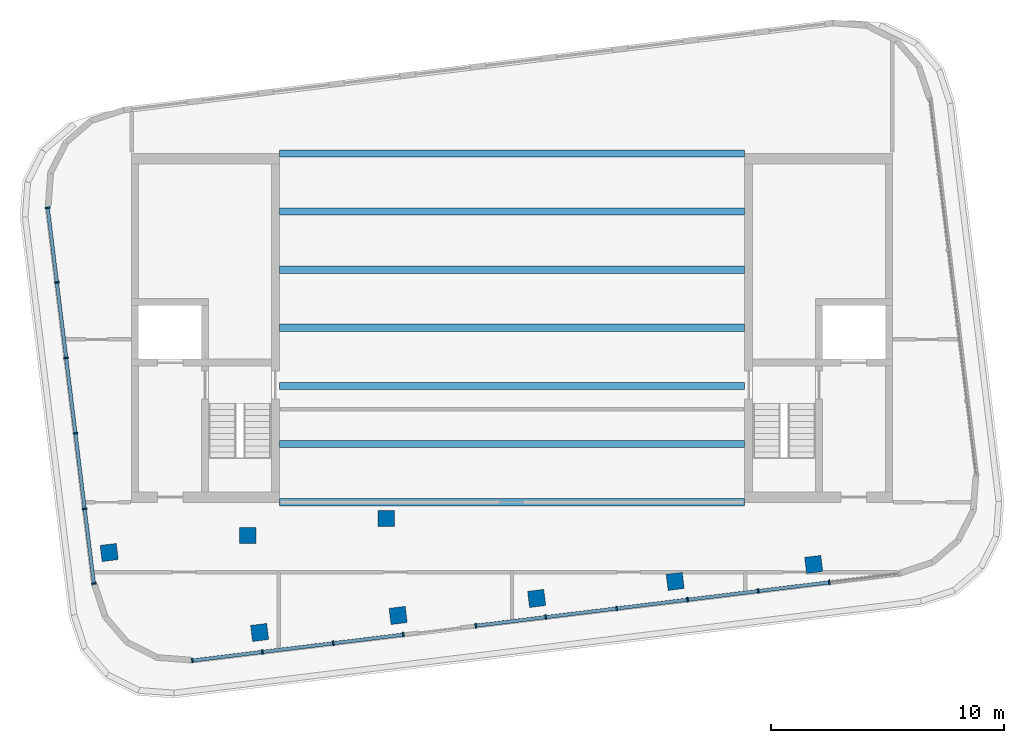
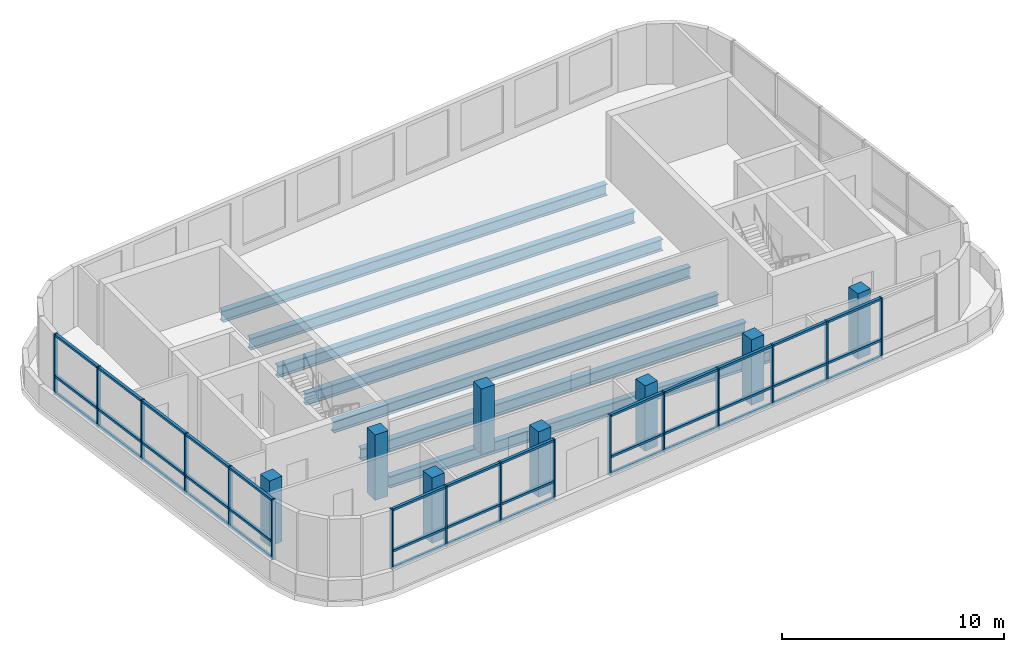
# One storey, part 1 of 7: 55 members, 8 columns, 7 beams, 3 elements without a shape of their own.
"""IFC4 building model written with IfcOpenShell, lengths in metres."""

from ifc_helpers import new_model, si_unit, direction, frame, origin, origin_2d, place, context, subcontext, project, spatial, rectangle, i_section, extrude, material, layer, layer_set, material_profile, profile_set, type_object, element, aggregate, save


model = new_model("IFC4")

# Units and contexts
model_context = context("Model", 3, precision=1e-05, world=origin(), true_north=direction((0.0, 1.0)))
body_context = subcontext(model_context, "Body", "Model", "MODEL_VIEW")
ifc_project = project(units=[si_unit("LENGTHUNIT", "METRE"), si_unit("AREAUNIT", "SQUARE_METRE"), si_unit("VOLUMEUNIT", "CUBIC_METRE"), si_unit("PLANEANGLEUNIT", "RADIAN"), si_unit("MASSUNIT", "GRAM", prefix="KILO")], contexts=[model_context])

# Site, building, storey
site_placement = place(None, origin())
site = spatial("IfcSite", under=ifc_project, at=site_placement, CompositionType="ELEMENT")
building_placement = place(site_placement, origin())
building = spatial("IfcBuilding", under=site, at=building_placement, Name="Torana Hotel and Residences", CompositionType="ELEMENT")
storey_placement = place(building_placement, frame((0.0, 0.0, 353.800048828125)))
storey = spatial("IfcBuildingStorey", under=building, at=storey_placement, Name="C3", CompositionType="ELEMENT", Elevation=353.800048828125)

# Columns
ifc_material_1 = material(Name="Concrete C40/50", Category="concrete")
ifc_material_profile_1 = material_profile(ifc_material_1, rectangle(XDim=0.699951171875, YDim=0.699951171875, at=origin_2d()), Name="RC 700x700")
ifc_profile_set_1 = profile_set([ifc_material_profile_1], Name="Concrete C40/50")
column_type = type_object("IfcColumnType", Name="COLUMN RC 700x700 C40/50", PredefinedType="COLUMN", material=ifc_profile_set_1)
for number, where, z_axis, x_axis, name in (
    (1, (-17.31689453125, -17.159912109375, 0.0), (0.0, 0.0, 1.0), (-0.121869343405, 0.992546151641, 0.0), "Column C3"),
    (2, (-11.362060546875, -16.428955078125, 0.0), (0.0, 0.0, 1.0), (1.0, 0.0, 0.0), "Column C3"),
    (3, (-10.85009765625, -20.597900390625, 0.0), (0.0, 0.0, 1.0), (0.992546151641, 0.121869343405, 0.0), "Column C3"),
    (4, (-5.406982421875, -15.697998046875, 0.0), (0.0, 0.0, 1.0), (1.0, 0.0, 0.0), "Column C3"),
    (5, (-4.89501953125, -19.865966796875, 0.0), (0.0, 0.0, 1.0), (0.992546151641, 0.121869343405, 0.0), "Column C3"),
    (6, (1.06005859375, -19.135009765625, 0.0), (0.0, 0.0, 1.0), (0.992546151641, 0.121869343405, 0.0), "Column C3"),
    (7, (7.01611328125, -18.404052734375, 0.0), (0.0, 0.0, 1.0), (0.992546151641, 0.121869343405, 0.0), "Column C3"),
    (8, (12.970947265625, -17.673095703125, 0.0), (0.0, 0.0, 1.0), (0.992546151641, 0.121869343405, 0.0), "Column C3"),
):
    element("IfcColumn", number, at=place(storey_placement, frame(where, z_axis=z_axis, x_axis=x_axis)), inside=storey, type_object=column_type, Name=name, PredefinedType="COLUMN", context=body_context, shape_type="SweptSolid", body=[
        extrude(rectangle(XDim=0.699951171875, YDim=0.699951171875, at=origin_2d()), origin(), (0.0, 0.0, 1.0), 3.599853515625),
    ])

# Curtain wall, members
ifc_material_2 = material(Name="Dark anodised aluminium", Category="aluminium")
ifc_layer = layer(ifc_material_2, 0.199951171875)
ifc_layer_set = layer_set([ifc_layer], Name="CW4 CROWN TERRACE GLAZING CURTAIN WALL")
curtain_wall_type = type_object("IfcCurtainWallType", Name="CW4 CROWN TERRACE GLAZING CURTAIN WALL", PredefinedType="NOTDEFINED", material=ifc_layer_set)
curtain_wall_1_placement = place(storey_placement, origin())
curtain_wall_1 = element("IfcCurtainWall", 9, at=curtain_wall_1_placement, inside=storey, type_object=curtain_wall_type, Name="Curtain wall CW4 C3 e0.9", PredefinedType="NOTDEFINED")
ifc_material_3 = material(Name="Dark anodised aluminium", Category="aluminium")
ifc_material_profile_2 = material_profile(ifc_material_3, rectangle(XDim=0.199951171875, YDim=0.070068359375, at=origin_2d()), Name="CW4 MULLION 70x200")
ifc_profile_set_2 = profile_set([ifc_material_profile_2], Name="Dark anodised aluminium")
member_type_1 = type_object("IfcMemberType", Name="CW4 MULLION 70x200", PredefinedType="MULLION", material=ifc_profile_set_2)
member_1_placement = place(storey_placement, frame((-19.9599609375, -2.340576171875, 0.0), z_axis=(0.0, 0.0, 1.0), x_axis=(0.992546415881, 0.121867191327, 0.0)))
member_1 = element("IfcMember", 10, at=member_1_placement, type_object=member_type_1, Name="CW4 mullion 1", PredefinedType="MULLION", context=body_context, shape_type="SweptSolid", body=[
    extrude(rectangle(XDim=0.199951171875, YDim=0.070068359375, at=origin_2d()), origin(), (0.0, 0.0, 1.0), 3.320068359375),
])
member_2_placement = place(storey_placement, frame((-19.56591796875, -5.55029296875, 0.0), z_axis=(0.0, 0.0, 1.0), x_axis=(0.992546415881, 0.121867191327, 0.0)))
member_2 = element("IfcMember", 11, at=member_2_placement, type_object=member_type_1, Name="CW4 mullion 2", PredefinedType="MULLION", context=body_context, shape_type="SweptSolid", body=[
    extrude(rectangle(XDim=0.199951171875, YDim=0.070068359375, at=origin_2d()), origin(), (0.0, 0.0, 1.0), 3.320068359375),
])
member_3_placement = place(storey_placement, frame((-19.16748046875, -8.794677734375, 0.0), z_axis=(0.0, 0.0, 1.0), x_axis=(0.992546415881, 0.121867191327, 0.0)))
member_3 = element("IfcMember", 12, at=member_3_placement, type_object=member_type_1, Name="CW4 mullion 3", PredefinedType="MULLION", context=body_context, shape_type="SweptSolid", body=[
    extrude(rectangle(XDim=0.199951171875, YDim=0.070068359375, at=origin_2d()), origin(), (0.0, 0.0, 1.0), 3.320068359375),
])
member_4_placement = place(storey_placement, frame((-18.76904296875, -12.039306640625, 0.0), z_axis=(0.0, 0.0, 1.0), x_axis=(0.992546415881, 0.121867191327, 0.0)))
member_4 = element("IfcMember", 13, at=member_4_placement, type_object=member_type_1, Name="CW4 mullion 4", PredefinedType="MULLION", context=body_context, shape_type="SweptSolid", body=[
    extrude(rectangle(XDim=0.199951171875, YDim=0.070068359375, at=origin_2d()), origin(), (0.0, 0.0, 1.0), 3.320068359375),
])
member_5_placement = place(storey_placement, frame((-18.370849609375, -15.28369140625, 0.0), z_axis=(0.0, 0.0, 1.0), x_axis=(0.992546415881, 0.121867191327, 0.0)))
member_5 = element("IfcMember", 14, at=member_5_placement, type_object=member_type_1, Name="CW4 mullion 5", PredefinedType="MULLION", context=body_context, shape_type="SweptSolid", body=[
    extrude(rectangle(XDim=0.199951171875, YDim=0.070068359375, at=origin_2d()), origin(), (0.0, 0.0, 1.0), 3.320068359375),
])
member_6_placement = place(storey_placement, frame((-17.9765625, -18.493408203125, 0.0), z_axis=(0.0, 0.0, 1.0), x_axis=(0.992546415881, 0.121867191327, 0.0)))
member_6 = element("IfcMember", 15, at=member_6_placement, type_object=member_type_1, Name="CW4 mullion 6", PredefinedType="MULLION", context=body_context, shape_type="SweptSolid", body=[
    extrude(rectangle(XDim=0.199951171875, YDim=0.070068359375, at=origin_2d()), origin(), (0.0, 0.0, 1.0), 3.320068359375),
])

curtain_wall_2_placement = place(storey_placement, origin())
curtain_wall_2 = element("IfcCurtainWall", 16, at=curtain_wall_2_placement, inside=storey, type_object=curtain_wall_type, Name="Curtain wall CW4 C3 e0.14-1", PredefinedType="NOTDEFINED")
member_7_placement = place(storey_placement, frame((-13.739990234375, -21.80322265625, 0.0), z_axis=(0.0, 0.0, 1.0), x_axis=(-0.121860701481, 0.992547212698, 0.0)))
member_7 = element("IfcMember", 17, at=member_7_placement, type_object=member_type_1, Name="CW4 mullion 1", PredefinedType="MULLION", context=body_context, shape_type="SweptSolid", body=[
    extrude(rectangle(XDim=0.199951171875, YDim=0.070068359375, at=origin_2d()), origin(), (0.0, 0.0, 1.0), 3.320068359375),
])
member_8_placement = place(storey_placement, frame((-10.728759765625, -21.43359375, 0.0), z_axis=(0.0, 0.0, 1.0), x_axis=(-0.121860701481, 0.992547212698, 0.0)))
member_8 = element("IfcMember", 18, at=member_8_placement, type_object=member_type_1, Name="CW4 mullion 2", PredefinedType="MULLION", context=body_context, shape_type="SweptSolid", body=[
    extrude(rectangle(XDim=0.199951171875, YDim=0.070068359375, at=origin_2d()), origin(), (0.0, 0.0, 1.0), 3.320068359375),
])
member_9_placement = place(storey_placement, frame((-7.682861328125, -21.0595703125, 0.0), z_axis=(0.0, 0.0, 1.0), x_axis=(-0.121860701481, 0.992547212698, 0.0)))
member_9 = element("IfcMember", 19, at=member_9_placement, type_object=member_type_1, Name="CW4 mullion 3", PredefinedType="MULLION", context=body_context, shape_type="SweptSolid", body=[
    extrude(rectangle(XDim=0.199951171875, YDim=0.070068359375, at=origin_2d()), origin(), (0.0, 0.0, 1.0), 3.320068359375),
])
member_10_placement = place(storey_placement, frame((-4.671630859375, -20.68994140625, 0.0), z_axis=(0.0, 0.0, 1.0), x_axis=(-0.121860701481, 0.992547212698, 0.0)))
member_10 = element("IfcMember", 20, at=member_10_placement, type_object=member_type_1, Name="CW4 mullion 4", PredefinedType="MULLION", context=body_context, shape_type="SweptSolid", body=[
    extrude(rectangle(XDim=0.199951171875, YDim=0.070068359375, at=origin_2d()), origin(), (0.0, 0.0, 1.0), 3.320068359375),
])

curtain_wall_3_placement = place(storey_placement, origin())
curtain_wall_3 = element("IfcCurtainWall", 21, at=curtain_wall_3_placement, inside=storey, type_object=curtain_wall_type, Name="Curtain wall CW4 C3 e0.14-2", PredefinedType="NOTDEFINED")
member_11_placement = place(storey_placement, frame((-1.55615234375, -20.307373046875, 0.0), z_axis=(0.0, 0.0, 1.0), x_axis=(-0.121865394893, 0.99254663645, 0.0)))
member_11 = element("IfcMember", 22, at=member_11_placement, type_object=member_type_1, Name="CW4 mullion 1", PredefinedType="MULLION", context=body_context, shape_type="SweptSolid", body=[
    extrude(rectangle(XDim=0.199951171875, YDim=0.070068359375, at=origin_2d()), origin(), (0.0, 0.0, 1.0), 3.320068359375),
])
member_12_placement = place(storey_placement, frame((1.454833984375, -19.937744140625, 0.0), z_axis=(0.0, 0.0, 1.0), x_axis=(-0.121865394893, 0.99254663645, 0.0)))
member_12 = element("IfcMember", 23, at=member_12_placement, type_object=member_type_1, Name="CW4 mullion 2", PredefinedType="MULLION", context=body_context, shape_type="SweptSolid", body=[
    extrude(rectangle(XDim=0.199951171875, YDim=0.070068359375, at=origin_2d()), origin(), (0.0, 0.0, 1.0), 3.320068359375),
])
member_13_placement = place(storey_placement, frame((4.5009765625, -19.563720703125, 0.0), z_axis=(0.0, 0.0, 1.0), x_axis=(-0.121865394893, 0.99254663645, 0.0)))
member_13 = element("IfcMember", 24, at=member_13_placement, type_object=member_type_1, Name="CW4 mullion 3", PredefinedType="MULLION", context=body_context, shape_type="SweptSolid", body=[
    extrude(rectangle(XDim=0.199951171875, YDim=0.070068359375, at=origin_2d()), origin(), (0.0, 0.0, 1.0), 3.320068359375),
])
member_14_placement = place(storey_placement, frame((7.546875, -19.189697265625, 0.0), z_axis=(0.0, 0.0, 1.0), x_axis=(-0.121865394893, 0.99254663645, 0.0)))
member_14 = element("IfcMember", 25, at=member_14_placement, type_object=member_type_1, Name="CW4 mullion 4", PredefinedType="MULLION", context=body_context, shape_type="SweptSolid", body=[
    extrude(rectangle(XDim=0.199951171875, YDim=0.070068359375, at=origin_2d()), origin(), (0.0, 0.0, 1.0), 3.320068359375),
])
member_15_placement = place(storey_placement, frame((10.5927734375, -18.815673828125, 0.0), z_axis=(0.0, 0.0, 1.0), x_axis=(-0.121865394893, 0.99254663645, 0.0)))
member_15 = element("IfcMember", 26, at=member_15_placement, type_object=member_type_1, Name="CW4 mullion 5", PredefinedType="MULLION", context=body_context, shape_type="SweptSolid", body=[
    extrude(rectangle(XDim=0.199951171875, YDim=0.070068359375, at=origin_2d()), origin(), (0.0, 0.0, 1.0), 3.320068359375),
])
member_16_placement = place(storey_placement, frame((13.638671875, -18.44189453125, 0.0), z_axis=(0.0, 0.0, 1.0), x_axis=(-0.121865394893, 0.99254663645, 0.0)))
member_16 = element("IfcMember", 27, at=member_16_placement, type_object=member_type_1, Name="CW4 mullion 6", PredefinedType="MULLION", context=body_context, shape_type="SweptSolid", body=[
    extrude(rectangle(XDim=0.199951171875, YDim=0.070068359375, at=origin_2d()), origin(), (0.0, 0.0, 1.0), 3.320068359375),
])

# Member
ifc_material_4 = material(Name="Dark anodised aluminium", Category="aluminium")
ifc_material_profile_3 = material_profile(ifc_material_4, rectangle(XDim=0.14990234375, YDim=0.1201171875, at=origin_2d()), Name="CW4 TRANSOM 150x120")
ifc_profile_set_3 = profile_set([ifc_material_profile_3], Name="Dark anodised aluminium")
member_type_2 = type_object("IfcMemberType", Name="CW4 TRANSOM 150x120", PredefinedType="USERDEFINED", material=ifc_profile_set_3)
member_17_placement = place(storey_placement, frame((-19.95556640625, -2.37548828125, 0.06005859375), z_axis=(0.121849955834, -0.992548531944, 0.0), x_axis=(0.992548531944, 0.121849955834, 0.0)))
member_17 = element("IfcMember", 28, at=member_17_placement, type_object=member_type_2, Name="CW4 transom 1.1", ObjectType="TRANSOM", PredefinedType="USERDEFINED", context=body_context, shape_type="SweptSolid", body=[
    extrude(rectangle(XDim=0.14990234375, YDim=0.1201171875, at=origin_2d()), origin(), (0.0, 0.0, 1.0), 3.163818359375),
])

member_18_placement = place(storey_placement, frame((-19.95556640625, -2.37548828125, 1.0), z_axis=(0.121849955834, -0.992548531944, 0.0), x_axis=(0.992548531944, 0.121849955834, 0.0)))
member_18 = element("IfcMember", 29, at=member_18_placement, type_object=member_type_2, Name="CW4 transom 1.2", ObjectType="TRANSOM", PredefinedType="USERDEFINED", context=body_context, shape_type="SweptSolid", body=[
    extrude(rectangle(XDim=0.14990234375, YDim=0.1201171875, at=origin_2d()), origin(), (0.0, 0.0, 1.0), 3.163818359375),
])

member_19_placement = place(storey_placement, frame((-19.95556640625, -2.37548828125, 3.260009765625), z_axis=(0.121849955834, -0.992548531944, 0.0), x_axis=(0.992548531944, 0.121849955834, 0.0)))
member_19 = element("IfcMember", 30, at=member_19_placement, type_object=member_type_2, Name="CW4 transom 1.3", ObjectType="TRANSOM", PredefinedType="USERDEFINED", context=body_context, shape_type="SweptSolid", body=[
    extrude(rectangle(XDim=0.14990234375, YDim=0.1201171875, at=origin_2d()), origin(), (0.0, 0.0, 1.0), 3.163818359375),
])

member_20_placement = place(storey_placement, frame((-19.5615234375, -5.5849609375, 0.06005859375), z_axis=(0.121883387175, -0.992544427182, 0.0), x_axis=(0.992544427182, 0.121883387175, 0.0)))
member_20 = element("IfcMember", 31, at=member_20_placement, type_object=member_type_2, Name="CW4 transom 2.1", ObjectType="TRANSOM", PredefinedType="USERDEFINED", context=body_context, shape_type="SweptSolid", body=[
    extrude(rectangle(XDim=0.14990234375, YDim=0.1201171875, at=origin_2d()), origin(), (0.0, 0.0, 1.0), 3.198974609375),
])

member_21_placement = place(storey_placement, frame((-19.5615234375, -5.5849609375, 1.0), z_axis=(0.121883387175, -0.992544427182, 0.0), x_axis=(0.992544427182, 0.121883387175, 0.0)))
member_21 = element("IfcMember", 32, at=member_21_placement, type_object=member_type_2, Name="CW4 transom 2.2", ObjectType="TRANSOM", PredefinedType="USERDEFINED", context=body_context, shape_type="SweptSolid", body=[
    extrude(rectangle(XDim=0.14990234375, YDim=0.1201171875, at=origin_2d()), origin(), (0.0, 0.0, 1.0), 3.198974609375),
])

member_22_placement = place(storey_placement, frame((-19.5615234375, -5.5849609375, 3.260009765625), z_axis=(0.121883387175, -0.992544427182, 0.0), x_axis=(0.992544427182, 0.121883387175, 0.0)))
member_22 = element("IfcMember", 33, at=member_22_placement, type_object=member_type_2, Name="CW4 transom 2.3", ObjectType="TRANSOM", PredefinedType="USERDEFINED", context=body_context, shape_type="SweptSolid", body=[
    extrude(rectangle(XDim=0.14990234375, YDim=0.1201171875, at=origin_2d()), origin(), (0.0, 0.0, 1.0), 3.198974609375),
])

member_23_placement = place(storey_placement, frame((-19.163330078125, -8.82958984375, 0.06005859375), z_axis=(0.121892620683, -0.992543293274, 0.0), x_axis=(0.992543293274, 0.121892620683, 0.0)))
member_23 = element("IfcMember", 34, at=member_23_placement, type_object=member_type_2, Name="CW4 transom 3.1", ObjectType="TRANSOM", PredefinedType="USERDEFINED", context=body_context, shape_type="SweptSolid", body=[
    extrude(rectangle(XDim=0.14990234375, YDim=0.1201171875, at=origin_2d()), origin(), (0.0, 0.0, 1.0), 3.19873046875),
])

member_24_placement = place(storey_placement, frame((-19.163330078125, -8.82958984375, 1.0), z_axis=(0.121892620683, -0.992543293274, 0.0), x_axis=(0.992543293274, 0.121892620683, 0.0)))
member_24 = element("IfcMember", 35, at=member_24_placement, type_object=member_type_2, Name="CW4 transom 3.2", ObjectType="TRANSOM", PredefinedType="USERDEFINED", context=body_context, shape_type="SweptSolid", body=[
    extrude(rectangle(XDim=0.14990234375, YDim=0.1201171875, at=origin_2d()), origin(), (0.0, 0.0, 1.0), 3.19873046875),
])

member_25_placement = place(storey_placement, frame((-19.163330078125, -8.82958984375, 3.260009765625), z_axis=(0.121892620683, -0.992543293274, 0.0), x_axis=(0.992543293274, 0.121892620683, 0.0)))
member_25 = element("IfcMember", 36, at=member_25_placement, type_object=member_type_2, Name="CW4 transom 3.3", ObjectType="TRANSOM", PredefinedType="USERDEFINED", context=body_context, shape_type="SweptSolid", body=[
    extrude(rectangle(XDim=0.14990234375, YDim=0.1201171875, at=origin_2d()), origin(), (0.0, 0.0, 1.0), 3.19873046875),
])

member_26_placement = place(storey_placement, frame((-18.764892578125, -12.073974609375, 0.06005859375), z_axis=(0.121883387175, -0.992544427182, 0.0), x_axis=(0.992544427182, 0.121883387175, 0.0)))
member_26 = element("IfcMember", 37, at=member_26_placement, type_object=member_type_2, Name="CW4 transom 4.1", ObjectType="TRANSOM", PredefinedType="USERDEFINED", context=body_context, shape_type="SweptSolid", body=[
    extrude(rectangle(XDim=0.14990234375, YDim=0.1201171875, at=origin_2d()), origin(), (0.0, 0.0, 1.0), 3.198974609375),
])

member_27_placement = place(storey_placement, frame((-18.764892578125, -12.073974609375, 1.0), z_axis=(0.121883387175, -0.992544427182, 0.0), x_axis=(0.992544427182, 0.121883387175, 0.0)))
member_27 = element("IfcMember", 38, at=member_27_placement, type_object=member_type_2, Name="CW4 transom 4.2", ObjectType="TRANSOM", PredefinedType="USERDEFINED", context=body_context, shape_type="SweptSolid", body=[
    extrude(rectangle(XDim=0.14990234375, YDim=0.1201171875, at=origin_2d()), origin(), (0.0, 0.0, 1.0), 3.198974609375),
])

member_28_placement = place(storey_placement, frame((-18.764892578125, -12.073974609375, 3.260009765625), z_axis=(0.121883387175, -0.992544427182, 0.0), x_axis=(0.992544427182, 0.121883387175, 0.0)))
member_28 = element("IfcMember", 39, at=member_28_placement, type_object=member_type_2, Name="CW4 transom 4.3", ObjectType="TRANSOM", PredefinedType="USERDEFINED", context=body_context, shape_type="SweptSolid", body=[
    extrude(rectangle(XDim=0.14990234375, YDim=0.1201171875, at=origin_2d()), origin(), (0.0, 0.0, 1.0), 3.198974609375),
])

member_29_placement = place(storey_placement, frame((-18.366455078125, -15.318359375, 0.06005859375), z_axis=(0.121840623563, -0.992549677573, 0.0), x_axis=(0.992549677573, 0.121840623563, 0.0)))
member_29 = element("IfcMember", 40, at=member_29_placement, type_object=member_type_2, Name="CW4 transom 5.1", ObjectType="TRANSOM", PredefinedType="USERDEFINED", context=body_context, shape_type="SweptSolid", body=[
    extrude(rectangle(XDim=0.14990234375, YDim=0.1201171875, at=origin_2d()), origin(), (0.0, 0.0, 1.0), 3.1640625),
])

member_30_placement = place(storey_placement, frame((-18.366455078125, -15.318359375, 1.0), z_axis=(0.121840623563, -0.992549677573, 0.0), x_axis=(0.992549677573, 0.121840623563, 0.0)))
member_30 = element("IfcMember", 41, at=member_30_placement, type_object=member_type_2, Name="CW4 transom 5.2", ObjectType="TRANSOM", PredefinedType="USERDEFINED", context=body_context, shape_type="SweptSolid", body=[
    extrude(rectangle(XDim=0.14990234375, YDim=0.1201171875, at=origin_2d()), origin(), (0.0, 0.0, 1.0), 3.1640625),
])

member_31_placement = place(storey_placement, frame((-18.366455078125, -15.318359375, 3.260009765625), z_axis=(0.121840623563, -0.992549677573, 0.0), x_axis=(0.992549677573, 0.121840623563, 0.0)))
member_31 = element("IfcMember", 42, at=member_31_placement, type_object=member_type_2, Name="CW4 transom 5.3", ObjectType="TRANSOM", PredefinedType="USERDEFINED", context=body_context, shape_type="SweptSolid", body=[
    extrude(rectangle(XDim=0.14990234375, YDim=0.1201171875, at=origin_2d()), origin(), (0.0, 0.0, 1.0), 3.1640625),
])

aggregate(curtain_wall_1, [member_1, member_2, member_3, member_4, member_5, member_6, member_17, member_18, member_19, member_20, member_21, member_22, member_23, member_24, member_25, member_26, member_27, member_28, member_29, member_30, member_31])

member_32_placement = place(storey_placement, frame((-13.705322265625, -21.799072265625, 0.06005859375), z_axis=(0.992551669984, 0.121824391694, 0.0), x_axis=(-0.121824391694, 0.992551669984, 0.0)))
member_32 = element("IfcMember", 43, at=member_32_placement, type_object=member_type_2, Name="CW4 transom 1.1", ObjectType="TRANSOM", PredefinedType="USERDEFINED", context=body_context, shape_type="SweptSolid", body=[
    extrude(rectangle(XDim=0.14990234375, YDim=0.1201171875, at=origin_2d()), origin(), (0.0, 0.0, 1.0), 2.9638671875),
])

member_33_placement = place(storey_placement, frame((-13.705322265625, -21.799072265625, 1.0), z_axis=(0.992551669984, 0.121824391694, 0.0), x_axis=(-0.121824391694, 0.992551669984, 0.0)))
member_33 = element("IfcMember", 44, at=member_33_placement, type_object=member_type_2, Name="CW4 transom 1.2", ObjectType="TRANSOM", PredefinedType="USERDEFINED", context=body_context, shape_type="SweptSolid", body=[
    extrude(rectangle(XDim=0.14990234375, YDim=0.1201171875, at=origin_2d()), origin(), (0.0, 0.0, 1.0), 2.9638671875),
])

member_34_placement = place(storey_placement, frame((-13.705322265625, -21.799072265625, 3.260009765625), z_axis=(0.992551669984, 0.121824391694, 0.0), x_axis=(-0.121824391694, 0.992551669984, 0.0)))
member_34 = element("IfcMember", 45, at=member_34_placement, type_object=member_type_2, Name="CW4 transom 1.3", ObjectType="TRANSOM", PredefinedType="USERDEFINED", context=body_context, shape_type="SweptSolid", body=[
    extrude(rectangle(XDim=0.14990234375, YDim=0.1201171875, at=origin_2d()), origin(), (0.0, 0.0, 1.0), 2.9638671875),
])

member_35_placement = place(storey_placement, frame((-10.694091796875, -21.429443359375, 0.06005859375), z_axis=(0.992546046929, 0.121870196215, 0.0), x_axis=(-0.121870196215, 0.992546046929, 0.0)))
member_35 = element("IfcMember", 46, at=member_35_placement, type_object=member_type_2, Name="CW4 transom 2.1", ObjectType="TRANSOM", PredefinedType="USERDEFINED", context=body_context, shape_type="SweptSolid", body=[
    extrude(rectangle(XDim=0.14990234375, YDim=0.1201171875, at=origin_2d()), origin(), (0.0, 0.0, 1.0), 2.9990234375),
])

member_36_placement = place(storey_placement, frame((-10.694091796875, -21.429443359375, 1.0), z_axis=(0.992546046929, 0.121870196215, 0.0), x_axis=(-0.121870196215, 0.992546046929, 0.0)))
member_36 = element("IfcMember", 47, at=member_36_placement, type_object=member_type_2, Name="CW4 transom 2.2", ObjectType="TRANSOM", PredefinedType="USERDEFINED", context=body_context, shape_type="SweptSolid", body=[
    extrude(rectangle(XDim=0.14990234375, YDim=0.1201171875, at=origin_2d()), origin(), (0.0, 0.0, 1.0), 2.9990234375),
])

member_37_placement = place(storey_placement, frame((-10.694091796875, -21.429443359375, 3.260009765625), z_axis=(0.992546046929, 0.121870196215, 0.0), x_axis=(-0.121870196215, 0.992546046929, 0.0)))
member_37 = element("IfcMember", 48, at=member_37_placement, type_object=member_type_2, Name="CW4 transom 2.3", ObjectType="TRANSOM", PredefinedType="USERDEFINED", context=body_context, shape_type="SweptSolid", body=[
    extrude(rectangle(XDim=0.14990234375, YDim=0.1201171875, at=origin_2d()), origin(), (0.0, 0.0, 1.0), 2.9990234375),
])

member_38_placement = place(storey_placement, frame((-7.648193359375, -21.055419921875, 0.06005859375), z_axis=(0.992551669984, 0.121824391694, 0.0), x_axis=(-0.121824391694, 0.992551669984, 0.0)))
member_38 = element("IfcMember", 49, at=member_38_placement, type_object=member_type_2, Name="CW4 transom 3.1", ObjectType="TRANSOM", PredefinedType="USERDEFINED", context=body_context, shape_type="SweptSolid", body=[
    extrude(rectangle(XDim=0.14990234375, YDim=0.1201171875, at=origin_2d()), origin(), (0.0, 0.0, 1.0), 2.9638671875),
])

member_39_placement = place(storey_placement, frame((-7.648193359375, -21.055419921875, 1.0), z_axis=(0.992551669984, 0.121824391694, 0.0), x_axis=(-0.121824391694, 0.992551669984, 0.0)))
member_39 = element("IfcMember", 50, at=member_39_placement, type_object=member_type_2, Name="CW4 transom 3.2", ObjectType="TRANSOM", PredefinedType="USERDEFINED", context=body_context, shape_type="SweptSolid", body=[
    extrude(rectangle(XDim=0.14990234375, YDim=0.1201171875, at=origin_2d()), origin(), (0.0, 0.0, 1.0), 2.9638671875),
])

member_40_placement = place(storey_placement, frame((-7.648193359375, -21.055419921875, 3.260009765625), z_axis=(0.992551669984, 0.121824391694, 0.0), x_axis=(-0.121824391694, 0.992551669984, 0.0)))
member_40 = element("IfcMember", 51, at=member_40_placement, type_object=member_type_2, Name="CW4 transom 3.3", ObjectType="TRANSOM", PredefinedType="USERDEFINED", context=body_context, shape_type="SweptSolid", body=[
    extrude(rectangle(XDim=0.14990234375, YDim=0.1201171875, at=origin_2d()), origin(), (0.0, 0.0, 1.0), 2.9638671875),
])

aggregate(curtain_wall_2, [member_7, member_8, member_9, member_10, member_32, member_33, member_34, member_35, member_36, member_37, member_38, member_39, member_40])

member_41_placement = place(storey_placement, frame((-1.521484375, -20.30322265625, 0.06005859375), z_axis=(0.992540482675, 0.121915504553, 0.0), x_axis=(-0.121915504553, 0.992540482675, 0.0)))
member_41 = element("IfcMember", 52, at=member_41_placement, type_object=member_type_2, Name="CW4 transom 1.1", ObjectType="TRANSOM", PredefinedType="USERDEFINED", context=body_context, shape_type="SweptSolid", body=[
    extrude(rectangle(XDim=0.14990234375, YDim=0.1201171875, at=origin_2d()), origin(), (0.0, 0.0, 1.0), 2.9638671875),
])

member_42_placement = place(storey_placement, frame((-1.521484375, -20.30322265625, 1.0), z_axis=(0.992540482675, 0.121915504553, 0.0), x_axis=(-0.121915504553, 0.992540482675, 0.0)))
member_42 = element("IfcMember", 53, at=member_42_placement, type_object=member_type_2, Name="CW4 transom 1.2", ObjectType="TRANSOM", PredefinedType="USERDEFINED", context=body_context, shape_type="SweptSolid", body=[
    extrude(rectangle(XDim=0.14990234375, YDim=0.1201171875, at=origin_2d()), origin(), (0.0, 0.0, 1.0), 2.9638671875),
])

member_43_placement = place(storey_placement, frame((-1.521484375, -20.30322265625, 3.260009765625), z_axis=(0.992540482675, 0.121915504553, 0.0), x_axis=(-0.121915504553, 0.992540482675, 0.0)))
member_43 = element("IfcMember", 54, at=member_43_placement, type_object=member_type_2, Name="CW4 transom 1.3", ObjectType="TRANSOM", PredefinedType="USERDEFINED", context=body_context, shape_type="SweptSolid", body=[
    extrude(rectangle(XDim=0.14990234375, YDim=0.1201171875, at=origin_2d()), origin(), (0.0, 0.0, 1.0), 2.9638671875),
])

member_44_placement = place(storey_placement, frame((1.48974609375, -19.933349609375, 0.06005859375), z_axis=(0.992554683548, 0.121799836485, 0.0), x_axis=(-0.121799836485, 0.992554683548, 0.0)))
member_44 = element("IfcMember", 55, at=member_44_placement, type_object=member_type_2, Name="CW4 transom 2.1", ObjectType="TRANSOM", PredefinedType="USERDEFINED", context=body_context, shape_type="SweptSolid", body=[
    extrude(rectangle(XDim=0.14990234375, YDim=0.1201171875, at=origin_2d()), origin(), (0.0, 0.0, 1.0), 2.99853515625),
])

member_45_placement = place(storey_placement, frame((1.48974609375, -19.933349609375, 1.0), z_axis=(0.992554683548, 0.121799836485, 0.0), x_axis=(-0.121799836485, 0.992554683548, 0.0)))
member_45 = element("IfcMember", 56, at=member_45_placement, type_object=member_type_2, Name="CW4 transom 2.2", ObjectType="TRANSOM", PredefinedType="USERDEFINED", context=body_context, shape_type="SweptSolid", body=[
    extrude(rectangle(XDim=0.14990234375, YDim=0.1201171875, at=origin_2d()), origin(), (0.0, 0.0, 1.0), 2.99853515625),
])

member_46_placement = place(storey_placement, frame((1.48974609375, -19.933349609375, 3.260009765625), z_axis=(0.992554683548, 0.121799836485, 0.0), x_axis=(-0.121799836485, 0.992554683548, 0.0)))
member_46 = element("IfcMember", 57, at=member_46_placement, type_object=member_type_2, Name="CW4 transom 2.3", ObjectType="TRANSOM", PredefinedType="USERDEFINED", context=body_context, shape_type="SweptSolid", body=[
    extrude(rectangle(XDim=0.14990234375, YDim=0.1201171875, at=origin_2d()), origin(), (0.0, 0.0, 1.0), 2.99853515625),
])

member_47_placement = place(storey_placement, frame((4.53564453125, -19.5595703125, 0.06005859375), z_axis=(0.992546046929, 0.121870196215, 0.0), x_axis=(-0.121870196215, 0.992546046929, 0.0)))
member_47 = element("IfcMember", 58, at=member_47_placement, type_object=member_type_2, Name="CW4 transom 3.1", ObjectType="TRANSOM", PredefinedType="USERDEFINED", context=body_context, shape_type="SweptSolid", body=[
    extrude(rectangle(XDim=0.14990234375, YDim=0.1201171875, at=origin_2d()), origin(), (0.0, 0.0, 1.0), 2.9990234375),
])

member_48_placement = place(storey_placement, frame((4.53564453125, -19.5595703125, 1.0), z_axis=(0.992546046929, 0.121870196215, 0.0), x_axis=(-0.121870196215, 0.992546046929, 0.0)))
member_48 = element("IfcMember", 59, at=member_48_placement, type_object=member_type_2, Name="CW4 transom 3.2", ObjectType="TRANSOM", PredefinedType="USERDEFINED", context=body_context, shape_type="SweptSolid", body=[
    extrude(rectangle(XDim=0.14990234375, YDim=0.1201171875, at=origin_2d()), origin(), (0.0, 0.0, 1.0), 2.9990234375),
])

member_49_placement = place(storey_placement, frame((4.53564453125, -19.5595703125, 3.260009765625), z_axis=(0.992546046929, 0.121870196215, 0.0), x_axis=(-0.121870196215, 0.992546046929, 0.0)))
member_49 = element("IfcMember", 60, at=member_49_placement, type_object=member_type_2, Name="CW4 transom 3.3", ObjectType="TRANSOM", PredefinedType="USERDEFINED", context=body_context, shape_type="SweptSolid", body=[
    extrude(rectangle(XDim=0.14990234375, YDim=0.1201171875, at=origin_2d()), origin(), (0.0, 0.0, 1.0), 2.9990234375),
])

member_50_placement = place(storey_placement, frame((7.58154296875, -19.185546875, 0.06005859375), z_axis=(0.992546046929, 0.121870196215, 0.0), x_axis=(-0.121870196215, 0.992546046929, 0.0)))
member_50 = element("IfcMember", 61, at=member_50_placement, type_object=member_type_2, Name="CW4 transom 4.1", ObjectType="TRANSOM", PredefinedType="USERDEFINED", context=body_context, shape_type="SweptSolid", body=[
    extrude(rectangle(XDim=0.14990234375, YDim=0.1201171875, at=origin_2d()), origin(), (0.0, 0.0, 1.0), 2.9990234375),
])

member_51_placement = place(storey_placement, frame((7.58154296875, -19.185546875, 1.0), z_axis=(0.992546046929, 0.121870196215, 0.0), x_axis=(-0.121870196215, 0.992546046929, 0.0)))
member_51 = element("IfcMember", 62, at=member_51_placement, type_object=member_type_2, Name="CW4 transom 4.2", ObjectType="TRANSOM", PredefinedType="USERDEFINED", context=body_context, shape_type="SweptSolid", body=[
    extrude(rectangle(XDim=0.14990234375, YDim=0.1201171875, at=origin_2d()), origin(), (0.0, 0.0, 1.0), 2.9990234375),
])

member_52_placement = place(storey_placement, frame((7.58154296875, -19.185546875, 3.260009765625), z_axis=(0.992546046929, 0.121870196215, 0.0), x_axis=(-0.121870196215, 0.992546046929, 0.0)))
member_52 = element("IfcMember", 63, at=member_52_placement, type_object=member_type_2, Name="CW4 transom 4.3", ObjectType="TRANSOM", PredefinedType="USERDEFINED", context=body_context, shape_type="SweptSolid", body=[
    extrude(rectangle(XDim=0.14990234375, YDim=0.1201171875, at=origin_2d()), origin(), (0.0, 0.0, 1.0), 2.9990234375),
])

member_53_placement = place(storey_placement, frame((10.62744140625, -18.8115234375, 0.06005859375), z_axis=(0.992546046929, 0.121870196215, 0.0), x_axis=(-0.121870196215, 0.992546046929, 0.0)))
member_53 = element("IfcMember", 64, at=member_53_placement, type_object=member_type_2, Name="CW4 transom 5.1", ObjectType="TRANSOM", PredefinedType="USERDEFINED", context=body_context, shape_type="SweptSolid", body=[
    extrude(rectangle(XDim=0.14990234375, YDim=0.1201171875, at=origin_2d()), origin(), (0.0, 0.0, 1.0), 2.9990234375),
])

member_54_placement = place(storey_placement, frame((10.62744140625, -18.8115234375, 1.0), z_axis=(0.992546046929, 0.121870196215, 0.0), x_axis=(-0.121870196215, 0.992546046929, 0.0)))
member_54 = element("IfcMember", 65, at=member_54_placement, type_object=member_type_2, Name="CW4 transom 5.2", ObjectType="TRANSOM", PredefinedType="USERDEFINED", context=body_context, shape_type="SweptSolid", body=[
    extrude(rectangle(XDim=0.14990234375, YDim=0.1201171875, at=origin_2d()), origin(), (0.0, 0.0, 1.0), 2.9990234375),
])

member_55_placement = place(storey_placement, frame((10.62744140625, -18.8115234375, 3.260009765625), z_axis=(0.992546046929, 0.121870196215, 0.0), x_axis=(-0.121870196215, 0.992546046929, 0.0)))
member_55 = element("IfcMember", 66, at=member_55_placement, type_object=member_type_2, Name="CW4 transom 5.3", ObjectType="TRANSOM", PredefinedType="USERDEFINED", context=body_context, shape_type="SweptSolid", body=[
    extrude(rectangle(XDim=0.14990234375, YDim=0.1201171875, at=origin_2d()), origin(), (0.0, 0.0, 1.0), 2.9990234375),
])

aggregate(curtain_wall_3, [member_11, member_12, member_13, member_14, member_15, member_16, member_41, member_42, member_43, member_44, member_45, member_46, member_47, member_48, member_49, member_50, member_51, member_52, member_53, member_54, member_55])

# Beams
ifc_material_5 = material(Name="Steel S355", Category="steel")
ifc_material_profile_4 = material_profile(ifc_material_5, i_section(OverallWidth=0.311279296875, OverallDepth=0.6357421875, WebThickness=0.018310546875, FlangeThickness=0.031494140625, FilletRadius=0.0166015625, at=origin_2d()), Name="610x305x238 UB")
ifc_profile_set_4 = profile_set([ifc_material_profile_4], Name="Steel S355")
beam_type = type_object("IfcBeamType", Name="STEEL GIRDER 610x305x238 UB", PredefinedType="BEAM", material=ifc_profile_set_4)
for number, where, z_axis, x_axis, name in (
    (67, (-10.0, -15.0, -0.597900390625), (1.0, 0.0, 0.0), (0.0, 1.0, 0.0), "Floor girder"),
    (68, (-10.0, -12.5, -0.597900390625), (1.0, 0.0, 0.0), (0.0, 1.0, 0.0), "Floor girder"),
    (69, (-10.0, -10.0, -0.597900390625), (1.0, 0.0, 0.0), (0.0, 1.0, 0.0), "Floor girder"),
    (70, (-10.0, -7.5, -0.597900390625), (1.0, 0.0, 0.0), (0.0, 1.0, 0.0), "Floor girder"),
    (71, (-10.0, -5.0, -0.597900390625), (1.0, 0.0, 0.0), (0.0, 1.0, 0.0), "Floor girder"),
    (72, (-10.0, -2.5, -0.597900390625), (1.0, 0.0, 0.0), (0.0, 1.0, 0.0), "Floor girder"),
    (73, (-10.0, 0.0, -0.597900390625), (1.0, 0.0, 0.0), (0.0, 1.0, 0.0), "Floor girder"),
):
    element("IfcBeam", number, at=place(storey_placement, frame(where, z_axis=z_axis, x_axis=x_axis)), inside=storey, type_object=beam_type, Name=name, PredefinedType="BEAM", context=body_context, shape_type="SweptSolid", body=[
        extrude(i_section(OverallWidth=0.311279296875, OverallDepth=0.6357421875, WebThickness=0.018310546875, FlangeThickness=0.031494140625, FilletRadius=0.0166015625, at=origin_2d()), origin(), (0.0, 0.0, 1.0), 20.0),
    ])

save(model, "model.ifc")
